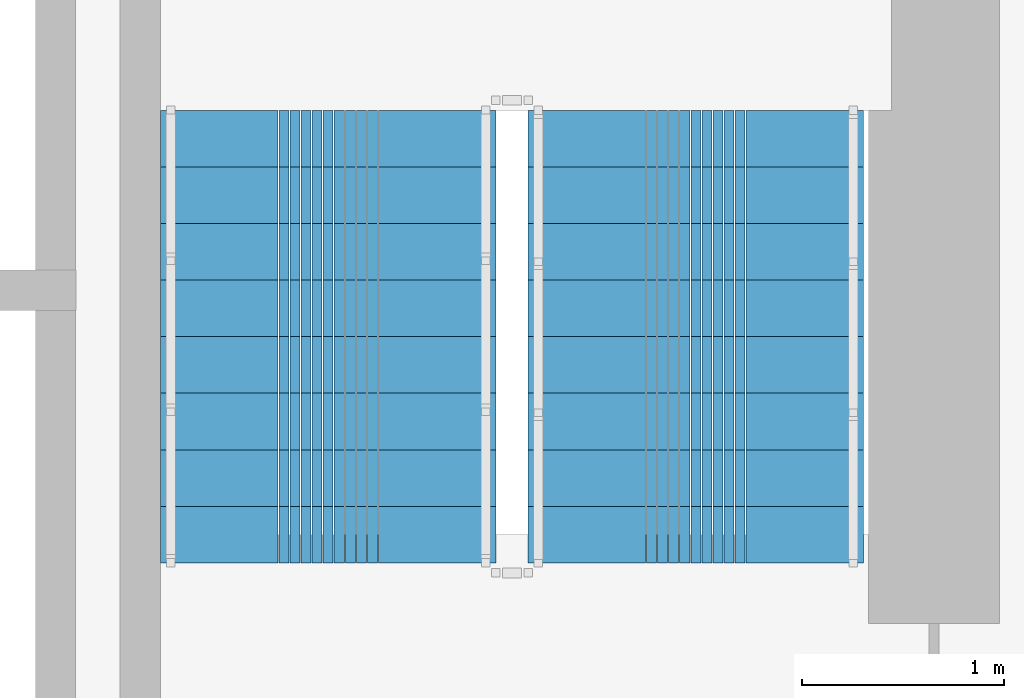
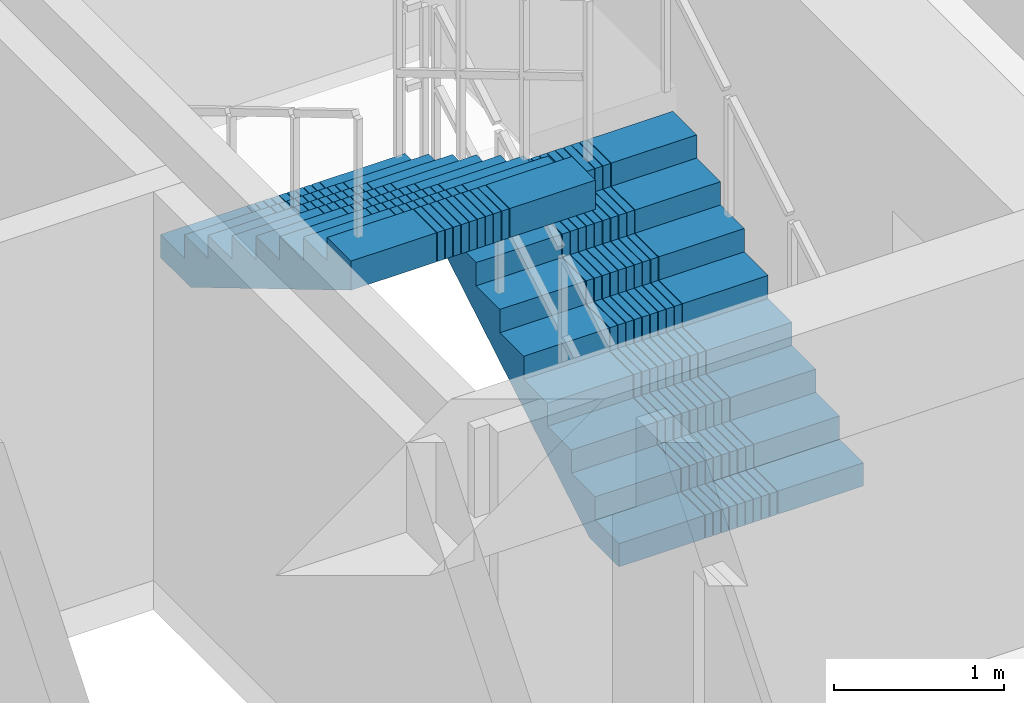
# One storey, part 22 of 28: 2 stair flights, 1 element without a shape of its own.
"""IFC4 building model written with IfcOpenShell, lengths in metres."""

from ifc_helpers import new_model, si_unit, direction, frame, origin, place, context, subcontext, project, spatial, polyline, outline, extrude, material, type_object, element, aggregate, save


model = new_model("IFC4")

# Units and contexts
model_context = context("Model", 3, precision=1e-05, world=origin(), true_north=direction((0.0, 1.0)))
body_context = subcontext(model_context, "Body", "Model", "MODEL_VIEW")
ifc_project = project(units=[si_unit("LENGTHUNIT", "METRE"), si_unit("AREAUNIT", "SQUARE_METRE"), si_unit("VOLUMEUNIT", "CUBIC_METRE"), si_unit("PLANEANGLEUNIT", "RADIAN"), si_unit("MASSUNIT", "GRAM", prefix="KILO")], contexts=[model_context])

# Site, building, storey
site_placement = place(None, origin())
site = spatial("IfcSite", under=ifc_project, at=site_placement, CompositionType="ELEMENT")
building_placement = place(site_placement, origin())
building = spatial("IfcBuilding", under=site, at=building_placement, Name="Saelheon Loggia Tower", CompositionType="ELEMENT")
storey_placement = place(building_placement, frame((0.0, 0.0, 61.39990234375)))
storey = spatial("IfcBuildingStorey", under=building, at=storey_placement, Name="L19", CompositionType="ELEMENT", Elevation=61.39990234375)

# Stair, stair flights
ifc_material = material(Name="Concrete C40/50", Category="concrete")
stair_type = type_object("IfcStairType", Name="Stair_Escape_Core", PredefinedType="HALF_TURN_STAIR", material=ifc_material)
stair_placement = place(storey_placement, origin())
stair = element("IfcStair", 1, at=stair_placement, inside=storey, type_object=stair_type, Name="L19 Special Escape Stair ST2", PredefinedType="HALF_TURN_STAIR")
stair_flight_type = type_object("IfcStairFlightType", Name="StairFlight_Tower_1660", PredefinedType="STRAIGHT", material=ifc_material)
stair_flight_1_placement = place(storey_placement, frame((43.320068359375, 30.449951171875, 0.0), z_axis=(0.0, 0.0, 1.0), x_axis=(0.0, 1.0, 0.0)))
stair_flight_1 = element("IfcStairFlight", 2, at=stair_flight_1_placement, type_object=stair_flight_type, Name="ST2 flight 1", NumberOfRisers=9, NumberOfTreads=8, PredefinedType="STRAIGHT", RiserHeight=0.166666667, TreadLength=0.28, context=body_context, shape_type="SweptSolid", body=[
    extrude(outline(polyline([(0.0, 0.0), (0.0, 0.166748046875), (0.280029296875, 0.166748046875), (0.280029296875, 0.333251953125), (0.56005859375, 0.333251953125), (0.56005859375, 0.5), (0.840087890625, 0.5), (0.840087890625, 0.666748046875), (1.1201171875, 0.666748046875), (1.1201171875, 0.833251953125), (1.39990234375, 0.833251953125), (1.39990234375, 1.0), (1.679931640625, 1.0), (1.679931640625, 1.166748046875), (1.9599609375, 1.166748046875), (1.9599609375, 1.333251953125), (2.239990234375, 1.333251953125), (2.239990234375, 1.5), (2.239990234375, 1.1240234375), (0.351806640625, 0.0), (0.0, 0.0)])), frame((0.0, -0.2490234375, 0.0), z_axis=(0.0, -1.0, 0.0), x_axis=(1.0, 0.0, 0.0)), (0.0, 0.0, 1.0), 0.5810546875),
    extrude(outline(polyline([(0.0, 0.0), (0.0, 0.166748046875), (0.280029296875, 0.166748046875), (0.280029296875, 0.333251953125), (0.56005859375, 0.333251953125), (0.56005859375, 0.5), (0.840087890625, 0.5), (0.840087890625, 0.666748046875), (1.1201171875, 0.666748046875), (1.1201171875, 0.833251953125), (1.39990234375, 0.833251953125), (1.39990234375, 1.0), (1.679931640625, 1.0), (1.679931640625, 1.166748046875), (1.9599609375, 1.166748046875), (1.9599609375, 1.333251953125), (2.239990234375, 1.333251953125), (2.239990234375, 1.5), (2.239990234375, 1.1240234375), (0.351806640625, 0.0), (0.0, 0.0)])), frame((0.0, -0.194091796875, 0.0), z_axis=(0.0, -1.0, 0.0), x_axis=(1.0, 0.0, 0.0)), (0.0, 0.0, 1.0), 0.0498046875),
    extrude(outline(polyline([(0.0, 0.0), (0.0, 0.166748046875), (0.280029296875, 0.166748046875), (0.280029296875, 0.333251953125), (0.56005859375, 0.333251953125), (0.56005859375, 0.5), (0.840087890625, 0.5), (0.840087890625, 0.666748046875), (1.1201171875, 0.666748046875), (1.1201171875, 0.833251953125), (1.39990234375, 0.833251953125), (1.39990234375, 1.0), (1.679931640625, 1.0), (1.679931640625, 1.166748046875), (1.9599609375, 1.166748046875), (1.9599609375, 1.333251953125), (2.239990234375, 1.333251953125), (2.239990234375, 1.5), (2.239990234375, 1.1240234375), (0.351806640625, 0.0), (0.0, 0.0)])), frame((0.0, -0.139404296875, 0.0), z_axis=(0.0, -1.0, 0.0), x_axis=(1.0, 0.0, 0.0)), (0.0, 0.0, 1.0), 0.0498046875),
    extrude(outline(polyline([(0.0, 0.0), (0.0, 0.166748046875), (0.280029296875, 0.166748046875), (0.280029296875, 0.333251953125), (0.56005859375, 0.333251953125), (0.56005859375, 0.5), (0.840087890625, 0.5), (0.840087890625, 0.666748046875), (1.1201171875, 0.666748046875), (1.1201171875, 0.833251953125), (1.39990234375, 0.833251953125), (1.39990234375, 1.0), (1.679931640625, 1.0), (1.679931640625, 1.166748046875), (1.9599609375, 1.166748046875), (1.9599609375, 1.333251953125), (2.239990234375, 1.333251953125), (2.239990234375, 1.5), (2.239990234375, 1.1240234375), (0.351806640625, 0.0), (0.0, 0.0)])), frame((0.0, -0.084716796875, 0.0), z_axis=(0.0, -1.0, 0.0), x_axis=(1.0, 0.0, 0.0)), (0.0, 0.0, 1.0), 0.0498046875),
    extrude(outline(polyline([(0.0, 0.0), (0.0, 0.166748046875), (0.280029296875, 0.166748046875), (0.280029296875, 0.333251953125), (0.56005859375, 0.333251953125), (0.56005859375, 0.5), (0.840087890625, 0.5), (0.840087890625, 0.666748046875), (1.1201171875, 0.666748046875), (1.1201171875, 0.833251953125), (1.39990234375, 0.833251953125), (1.39990234375, 1.0), (1.679931640625, 1.0), (1.679931640625, 1.166748046875), (1.9599609375, 1.166748046875), (1.9599609375, 1.333251953125), (2.239990234375, 1.333251953125), (2.239990234375, 1.5), (2.239990234375, 1.1240234375), (0.351806640625, 0.0), (0.0, 0.0)])), frame((0.0, -0.02978515625, 0.0), z_axis=(0.0, -1.0, 0.0), x_axis=(1.0, 0.0, 0.0)), (0.0, 0.0, 1.0), 0.0498046875),
    extrude(outline(polyline([(0.0, 0.0), (0.0, 0.166748046875), (0.280029296875, 0.166748046875), (0.280029296875, 0.333251953125), (0.56005859375, 0.333251953125), (0.56005859375, 0.5), (0.840087890625, 0.5), (0.840087890625, 0.666748046875), (1.1201171875, 0.666748046875), (1.1201171875, 0.833251953125), (1.39990234375, 0.833251953125), (1.39990234375, 1.0), (1.679931640625, 1.0), (1.679931640625, 1.166748046875), (1.9599609375, 1.166748046875), (1.9599609375, 1.333251953125), (2.239990234375, 1.333251953125), (2.239990234375, 1.5), (2.239990234375, 1.1240234375), (0.351806640625, 0.0), (0.0, 0.0)])), frame((0.0, 0.02490234375, 0.0), z_axis=(0.0, -1.0, 0.0), x_axis=(1.0, 0.0, 0.0)), (0.0, 0.0, 1.0), 0.0498046875),
    extrude(outline(polyline([(0.0, 0.0), (0.0, 0.166748046875), (0.280029296875, 0.166748046875), (0.280029296875, 0.333251953125), (0.56005859375, 0.333251953125), (0.56005859375, 0.5), (0.840087890625, 0.5), (0.840087890625, 0.666748046875), (1.1201171875, 0.666748046875), (1.1201171875, 0.833251953125), (1.39990234375, 0.833251953125), (1.39990234375, 1.0), (1.679931640625, 1.0), (1.679931640625, 1.166748046875), (1.9599609375, 1.166748046875), (1.9599609375, 1.333251953125), (2.239990234375, 1.333251953125), (2.239990234375, 1.5), (2.239990234375, 1.1240234375), (0.351806640625, 0.0), (0.0, 0.0)])), frame((0.0, 0.07958984375, 0.0), z_axis=(0.0, -1.0, 0.0), x_axis=(1.0, 0.0, 0.0)), (0.0, 0.0, 1.0), 0.0498046875),
    extrude(outline(polyline([(0.0, 0.0), (0.0, 0.166748046875), (0.280029296875, 0.166748046875), (0.280029296875, 0.333251953125), (0.56005859375, 0.333251953125), (0.56005859375, 0.5), (0.840087890625, 0.5), (0.840087890625, 0.666748046875), (1.1201171875, 0.666748046875), (1.1201171875, 0.833251953125), (1.39990234375, 0.833251953125), (1.39990234375, 1.0), (1.679931640625, 1.0), (1.679931640625, 1.166748046875), (1.9599609375, 1.166748046875), (1.9599609375, 1.333251953125), (2.239990234375, 1.333251953125), (2.239990234375, 1.5), (2.239990234375, 1.1240234375), (0.351806640625, 0.0), (0.0, 0.0)])), frame((0.0, 0.134521484375, 0.0), z_axis=(0.0, -1.0, 0.0), x_axis=(1.0, 0.0, 0.0)), (0.0, 0.0, 1.0), 0.0498046875),
    extrude(outline(polyline([(0.0, 0.0), (0.0, 0.166748046875), (0.280029296875, 0.166748046875), (0.280029296875, 0.333251953125), (0.56005859375, 0.333251953125), (0.56005859375, 0.5), (0.840087890625, 0.5), (0.840087890625, 0.666748046875), (1.1201171875, 0.666748046875), (1.1201171875, 0.833251953125), (1.39990234375, 0.833251953125), (1.39990234375, 1.0), (1.679931640625, 1.0), (1.679931640625, 1.166748046875), (1.9599609375, 1.166748046875), (1.9599609375, 1.333251953125), (2.239990234375, 1.333251953125), (2.239990234375, 1.5), (2.239990234375, 1.1240234375), (0.351806640625, 0.0), (0.0, 0.0)])), frame((0.0, 0.189208984375, 0.0), z_axis=(0.0, -1.0, 0.0), x_axis=(1.0, 0.0, 0.0)), (0.0, 0.0, 1.0), 0.0498046875),
    extrude(outline(polyline([(0.0, 0.0), (0.0, 0.166748046875), (0.280029296875, 0.166748046875), (0.280029296875, 0.333251953125), (0.56005859375, 0.333251953125), (0.56005859375, 0.5), (0.840087890625, 0.5), (0.840087890625, 0.666748046875), (1.1201171875, 0.666748046875), (1.1201171875, 0.833251953125), (1.39990234375, 0.833251953125), (1.39990234375, 1.0), (1.679931640625, 1.0), (1.679931640625, 1.166748046875), (1.9599609375, 1.166748046875), (1.9599609375, 1.333251953125), (2.239990234375, 1.333251953125), (2.239990234375, 1.5), (2.239990234375, 1.1240234375), (0.351806640625, 0.0), (0.0, 0.0)])), frame((0.0, 0.243896484375, 0.0), z_axis=(0.0, -1.0, 0.0), x_axis=(1.0, 0.0, 0.0)), (0.0, 0.0, 1.0), 0.0498046875),
    extrude(outline(polyline([(0.0, 0.0), (0.0, 0.166748046875), (0.280029296875, 0.166748046875), (0.280029296875, 0.333251953125), (0.56005859375, 0.333251953125), (0.56005859375, 0.5), (0.840087890625, 0.5), (0.840087890625, 0.666748046875), (1.1201171875, 0.666748046875), (1.1201171875, 0.833251953125), (1.39990234375, 0.833251953125), (1.39990234375, 1.0), (1.679931640625, 1.0), (1.679931640625, 1.166748046875), (1.9599609375, 1.166748046875), (1.9599609375, 1.333251953125), (2.239990234375, 1.333251953125), (2.239990234375, 1.5), (2.239990234375, 1.1240234375), (0.351806640625, 0.0), (0.0, 0.0)])), frame((0.0, 0.830078125, 0.0), z_axis=(0.0, -1.0, 0.0), x_axis=(1.0, 0.0, 0.0)), (0.0, 0.0, 1.0), 0.5810546875),
])
stair_flight_2_placement = place(storey_placement, frame((41.5, 32.68994140625, 1.5), z_axis=(0.0, 0.0, 1.0), x_axis=(0.0, -1.0, 0.0)))
stair_flight_2 = element("IfcStairFlight", 3, at=stair_flight_2_placement, type_object=stair_flight_type, Name="ST2 flight 2", NumberOfRisers=9, NumberOfTreads=8, PredefinedType="STRAIGHT", RiserHeight=0.166666667, TreadLength=0.28, context=body_context, shape_type="SweptSolid", body=[
    extrude(outline(polyline([(0.0, 0.0), (0.0, 0.166748046875), (0.280029296875, 0.166748046875), (0.280029296875, 0.333251953125), (0.56005859375, 0.333251953125), (0.56005859375, 0.5), (0.840087890625, 0.5), (0.840087890625, 0.666748046875), (1.1201171875, 0.666748046875), (1.1201171875, 0.833251953125), (1.39990234375, 0.833251953125), (1.39990234375, 1.0), (1.679931640625, 1.0), (1.679931640625, 1.166748046875), (1.9599609375, 1.166748046875), (1.9599609375, 1.333251953125), (2.239990234375, 1.333251953125), (2.239990234375, 1.5), (2.239990234375, 1.1240234375), (0.351806640625, 0.0), (0.0, 0.0)])), frame((0.0, -0.2490234375, 0.0), z_axis=(0.0, -1.0, 0.0), x_axis=(1.0, 0.0, 0.0)), (0.0, 0.0, 1.0), 0.5810546875),
    extrude(outline(polyline([(0.0, 0.0), (0.0, 0.166748046875), (0.280029296875, 0.166748046875), (0.280029296875, 0.333251953125), (0.56005859375, 0.333251953125), (0.56005859375, 0.5), (0.840087890625, 0.5), (0.840087890625, 0.666748046875), (1.1201171875, 0.666748046875), (1.1201171875, 0.833251953125), (1.39990234375, 0.833251953125), (1.39990234375, 1.0), (1.679931640625, 1.0), (1.679931640625, 1.166748046875), (1.9599609375, 1.166748046875), (1.9599609375, 1.333251953125), (2.239990234375, 1.333251953125), (2.239990234375, 1.5), (2.239990234375, 1.1240234375), (0.351806640625, 0.0), (0.0, 0.0)])), frame((0.0, -0.194091796875, 0.0), z_axis=(0.0, -1.0, 0.0), x_axis=(1.0, 0.0, 0.0)), (0.0, 0.0, 1.0), 0.0498046875),
    extrude(outline(polyline([(0.0, 0.0), (0.0, 0.166748046875), (0.280029296875, 0.166748046875), (0.280029296875, 0.333251953125), (0.56005859375, 0.333251953125), (0.56005859375, 0.5), (0.840087890625, 0.5), (0.840087890625, 0.666748046875), (1.1201171875, 0.666748046875), (1.1201171875, 0.833251953125), (1.39990234375, 0.833251953125), (1.39990234375, 1.0), (1.679931640625, 1.0), (1.679931640625, 1.166748046875), (1.9599609375, 1.166748046875), (1.9599609375, 1.333251953125), (2.239990234375, 1.333251953125), (2.239990234375, 1.5), (2.239990234375, 1.1240234375), (0.351806640625, 0.0), (0.0, 0.0)])), frame((0.0, -0.139404296875, 0.0), z_axis=(0.0, -1.0, 0.0), x_axis=(1.0, 0.0, 0.0)), (0.0, 0.0, 1.0), 0.0498046875),
    extrude(outline(polyline([(0.0, 0.0), (0.0, 0.166748046875), (0.280029296875, 0.166748046875), (0.280029296875, 0.333251953125), (0.56005859375, 0.333251953125), (0.56005859375, 0.5), (0.840087890625, 0.5), (0.840087890625, 0.666748046875), (1.1201171875, 0.666748046875), (1.1201171875, 0.833251953125), (1.39990234375, 0.833251953125), (1.39990234375, 1.0), (1.679931640625, 1.0), (1.679931640625, 1.166748046875), (1.9599609375, 1.166748046875), (1.9599609375, 1.333251953125), (2.239990234375, 1.333251953125), (2.239990234375, 1.5), (2.239990234375, 1.1240234375), (0.351806640625, 0.0), (0.0, 0.0)])), frame((0.0, -0.084716796875, 0.0), z_axis=(0.0, -1.0, 0.0), x_axis=(1.0, 0.0, 0.0)), (0.0, 0.0, 1.0), 0.0498046875),
    extrude(outline(polyline([(0.0, 0.0), (0.0, 0.166748046875), (0.280029296875, 0.166748046875), (0.280029296875, 0.333251953125), (0.56005859375, 0.333251953125), (0.56005859375, 0.5), (0.840087890625, 0.5), (0.840087890625, 0.666748046875), (1.1201171875, 0.666748046875), (1.1201171875, 0.833251953125), (1.39990234375, 0.833251953125), (1.39990234375, 1.0), (1.679931640625, 1.0), (1.679931640625, 1.166748046875), (1.9599609375, 1.166748046875), (1.9599609375, 1.333251953125), (2.239990234375, 1.333251953125), (2.239990234375, 1.5), (2.239990234375, 1.1240234375), (0.351806640625, 0.0), (0.0, 0.0)])), frame((0.0, -0.02978515625, 0.0), z_axis=(0.0, -1.0, 0.0), x_axis=(1.0, 0.0, 0.0)), (0.0, 0.0, 1.0), 0.0498046875),
    extrude(outline(polyline([(0.0, 0.0), (0.0, 0.166748046875), (0.280029296875, 0.166748046875), (0.280029296875, 0.333251953125), (0.56005859375, 0.333251953125), (0.56005859375, 0.5), (0.840087890625, 0.5), (0.840087890625, 0.666748046875), (1.1201171875, 0.666748046875), (1.1201171875, 0.833251953125), (1.39990234375, 0.833251953125), (1.39990234375, 1.0), (1.679931640625, 1.0), (1.679931640625, 1.166748046875), (1.9599609375, 1.166748046875), (1.9599609375, 1.333251953125), (2.239990234375, 1.333251953125), (2.239990234375, 1.5), (2.239990234375, 1.1240234375), (0.351806640625, 0.0), (0.0, 0.0)])), frame((0.0, 0.02490234375, 0.0), z_axis=(0.0, -1.0, 0.0), x_axis=(1.0, 0.0, 0.0)), (0.0, 0.0, 1.0), 0.0498046875),
    extrude(outline(polyline([(0.0, 0.0), (0.0, 0.166748046875), (0.280029296875, 0.166748046875), (0.280029296875, 0.333251953125), (0.56005859375, 0.333251953125), (0.56005859375, 0.5), (0.840087890625, 0.5), (0.840087890625, 0.666748046875), (1.1201171875, 0.666748046875), (1.1201171875, 0.833251953125), (1.39990234375, 0.833251953125), (1.39990234375, 1.0), (1.679931640625, 1.0), (1.679931640625, 1.166748046875), (1.9599609375, 1.166748046875), (1.9599609375, 1.333251953125), (2.239990234375, 1.333251953125), (2.239990234375, 1.5), (2.239990234375, 1.1240234375), (0.351806640625, 0.0), (0.0, 0.0)])), frame((0.0, 0.07958984375, 0.0), z_axis=(0.0, -1.0, 0.0), x_axis=(1.0, 0.0, 0.0)), (0.0, 0.0, 1.0), 0.0498046875),
    extrude(outline(polyline([(0.0, 0.0), (0.0, 0.166748046875), (0.280029296875, 0.166748046875), (0.280029296875, 0.333251953125), (0.56005859375, 0.333251953125), (0.56005859375, 0.5), (0.840087890625, 0.5), (0.840087890625, 0.666748046875), (1.1201171875, 0.666748046875), (1.1201171875, 0.833251953125), (1.39990234375, 0.833251953125), (1.39990234375, 1.0), (1.679931640625, 1.0), (1.679931640625, 1.166748046875), (1.9599609375, 1.166748046875), (1.9599609375, 1.333251953125), (2.239990234375, 1.333251953125), (2.239990234375, 1.5), (2.239990234375, 1.1240234375), (0.351806640625, 0.0), (0.0, 0.0)])), frame((0.0, 0.134521484375, 0.0), z_axis=(0.0, -1.0, 0.0), x_axis=(1.0, 0.0, 0.0)), (0.0, 0.0, 1.0), 0.0498046875),
    extrude(outline(polyline([(0.0, 0.0), (0.0, 0.166748046875), (0.280029296875, 0.166748046875), (0.280029296875, 0.333251953125), (0.56005859375, 0.333251953125), (0.56005859375, 0.5), (0.840087890625, 0.5), (0.840087890625, 0.666748046875), (1.1201171875, 0.666748046875), (1.1201171875, 0.833251953125), (1.39990234375, 0.833251953125), (1.39990234375, 1.0), (1.679931640625, 1.0), (1.679931640625, 1.166748046875), (1.9599609375, 1.166748046875), (1.9599609375, 1.333251953125), (2.239990234375, 1.333251953125), (2.239990234375, 1.5), (2.239990234375, 1.1240234375), (0.351806640625, 0.0), (0.0, 0.0)])), frame((0.0, 0.189208984375, 0.0), z_axis=(0.0, -1.0, 0.0), x_axis=(1.0, 0.0, 0.0)), (0.0, 0.0, 1.0), 0.0498046875),
    extrude(outline(polyline([(0.0, 0.0), (0.0, 0.166748046875), (0.280029296875, 0.166748046875), (0.280029296875, 0.333251953125), (0.56005859375, 0.333251953125), (0.56005859375, 0.5), (0.840087890625, 0.5), (0.840087890625, 0.666748046875), (1.1201171875, 0.666748046875), (1.1201171875, 0.833251953125), (1.39990234375, 0.833251953125), (1.39990234375, 1.0), (1.679931640625, 1.0), (1.679931640625, 1.166748046875), (1.9599609375, 1.166748046875), (1.9599609375, 1.333251953125), (2.239990234375, 1.333251953125), (2.239990234375, 1.5), (2.239990234375, 1.1240234375), (0.351806640625, 0.0), (0.0, 0.0)])), frame((0.0, 0.243896484375, 0.0), z_axis=(0.0, -1.0, 0.0), x_axis=(1.0, 0.0, 0.0)), (0.0, 0.0, 1.0), 0.0498046875),
    extrude(outline(polyline([(0.0, 0.0), (0.0, 0.166748046875), (0.280029296875, 0.166748046875), (0.280029296875, 0.333251953125), (0.56005859375, 0.333251953125), (0.56005859375, 0.5), (0.840087890625, 0.5), (0.840087890625, 0.666748046875), (1.1201171875, 0.666748046875), (1.1201171875, 0.833251953125), (1.39990234375, 0.833251953125), (1.39990234375, 1.0), (1.679931640625, 1.0), (1.679931640625, 1.166748046875), (1.9599609375, 1.166748046875), (1.9599609375, 1.333251953125), (2.239990234375, 1.333251953125), (2.239990234375, 1.5), (2.239990234375, 1.1240234375), (0.351806640625, 0.0), (0.0, 0.0)])), frame((0.0, 0.830078125, 0.0), z_axis=(0.0, -1.0, 0.0), x_axis=(1.0, 0.0, 0.0)), (0.0, 0.0, 1.0), 0.5810546875),
])
aggregate(stair, [stair_flight_1, stair_flight_2])

save(model, "model.ifc")
